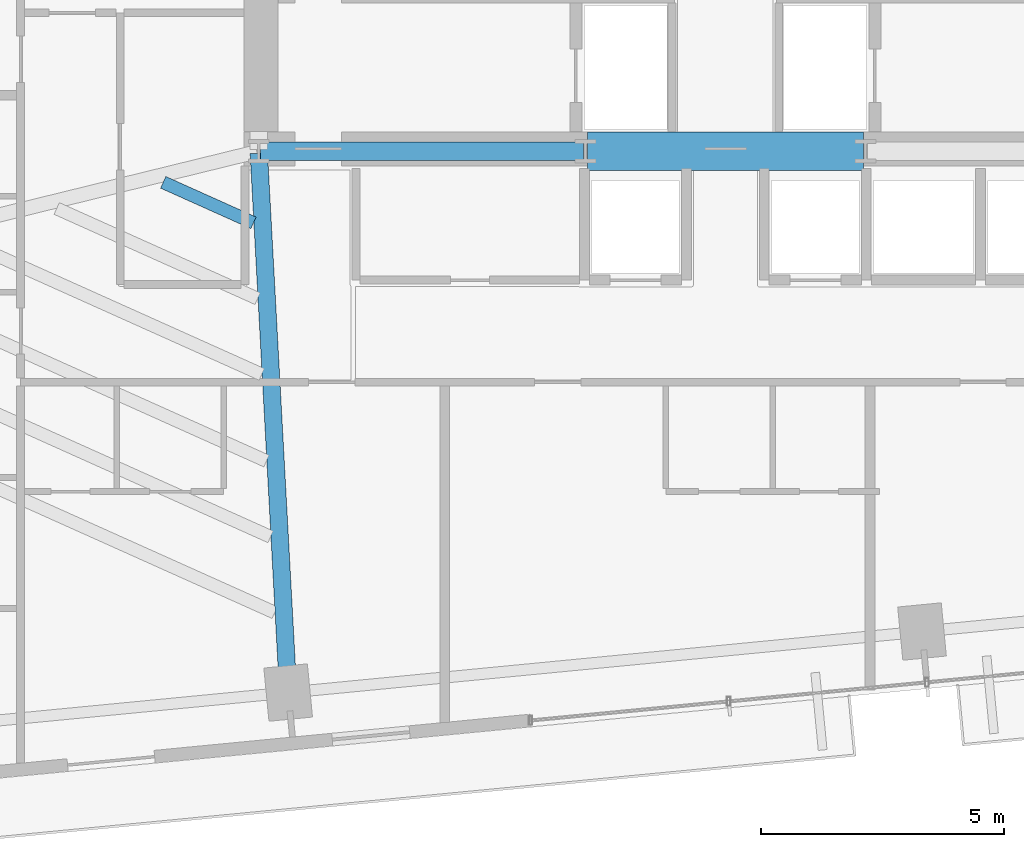
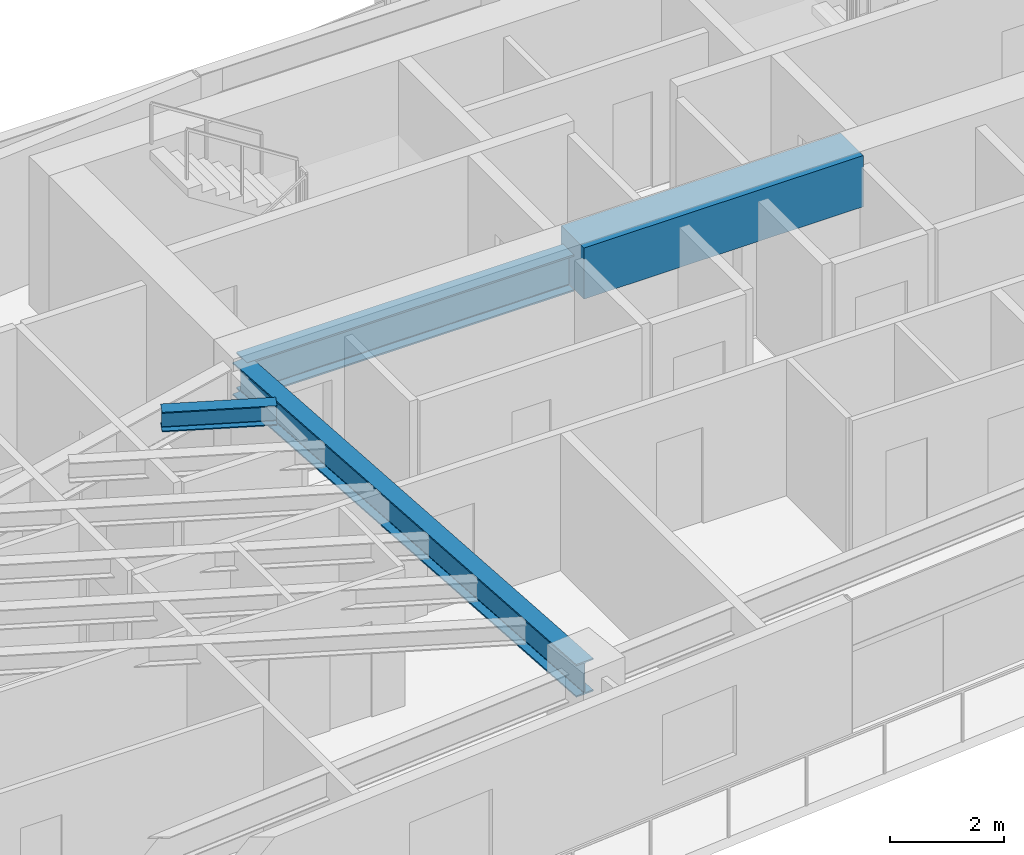
# One storey, part 7 of 27: 4 beams.
"""IFC4 building model written with IfcOpenShell, lengths in metres."""

from ifc_helpers import new_model, si_unit, direction, frame, origin, origin_2d, place, context, subcontext, project, spatial, rectangle, i_section, extrude, source, transform, mapped, material, material_profile, profile_set, type_object, type_shapes, element, save


model = new_model("IFC4")

# Units and contexts
model_context = context("Model", 3, precision=1e-05, world=origin(), true_north=direction((0.0, 1.0)))
body_context = subcontext(model_context, "Body", "Model", "MODEL_VIEW")
ifc_project = project(units=[si_unit("LENGTHUNIT", "METRE"), si_unit("AREAUNIT", "SQUARE_METRE"), si_unit("VOLUMEUNIT", "CUBIC_METRE"), si_unit("PLANEANGLEUNIT", "RADIAN"), si_unit("MASSUNIT", "GRAM", prefix="KILO")], contexts=[model_context])

# Site, building, storey
site_placement = place(None, origin())
site = spatial("IfcSite", under=ifc_project, at=site_placement, CompositionType="ELEMENT")
building_placement = place(site_placement, origin())
building = spatial("IfcBuilding", under=site, at=building_placement, Name="Astriad Promenade Condominiums", CompositionType="ELEMENT")
storey_placement = place(building_placement, frame((0.0, 0.0, 113.0)))
storey = spatial("IfcBuildingStorey", under=building, at=storey_placement, Name="L32", CompositionType="ELEMENT", Elevation=113.0)

# Beams
ifc_material_1 = material(Name="Steel ASTM A992 Grade 50", Category="steel")
ifc_material_profile_1 = material_profile(ifc_material_1, i_section(OverallWidth=0.3837890625, OverallDepth=0.785888671875, WebThickness=0.019775390625, FlangeThickness=0.033447265625, FilletRadius=0.021484375, at=origin_2d()), Name="W30X211")
ifc_profile_set_1 = profile_set([ifc_material_profile_1], Name="Steel ASTM A992 Grade 50")
beam_type_1 = type_object("IfcBeamType", Name="STEEL FLOOR GIRDER W30X211", PredefinedType="BEAM", material=ifc_profile_set_1)
shared_shape_1 = source(origin(), body_context, "Body", "SweptSolid", [
    extrude(i_section(OverallWidth=0.3837890625, OverallDepth=0.785888671875, WebThickness=0.019775390625, FlangeThickness=0.033447265625, FilletRadius=0.021484375, at=origin_2d()), origin(), (0.0, 0.0, 1.0), 6.64013671875),
])
type_shapes(beam_type_1, [shared_shape_1])
beam_1_placement = place(storey_placement, frame((26.43994140625, 17.39990234375, 2.547119140625), z_axis=(1.0, 0.0, 0.0), x_axis=(0.0, 1.0, 0.0)))
element("IfcBeam", 1, at=beam_1_placement, inside=storey, type_object=beam_type_1, Name="Core Ring Beam CG-S1-L32", PredefinedType="BEAM", context=body_context, shape_type="MappedRepresentation", body=[
    mapped(shared_shape_1, transform((0.0, 0.0, 0.0), scale=1.0)),
])
ifc_material_2 = material(Name="Concrete C80/95", Category="concrete")
ifc_material_profile_2 = material_profile(ifc_material_2, rectangle(XDim=0.800048828125, YDim=1.10009765625, at=origin_2d()), Name="RC-BM-800X1100")
ifc_profile_set_2 = profile_set([ifc_material_profile_2], Name="Concrete C80/95")
beam_type_2 = type_object("IfcBeamType", Name="CONCRETE CORE COUPLING LINTEL 800X1100", PredefinedType="LINTEL", material=ifc_profile_set_2)
shared_shape_2 = source(origin(), body_context, "Body", "SweptSolid", [
    extrude(rectangle(XDim=0.800048828125, YDim=1.10009765625, at=origin_2d()), origin(), (0.0, 0.0, 1.0), 5.68017578125),
])
type_shapes(beam_type_2, [shared_shape_2])
beam_2_placement = place(storey_placement, frame((33.159912109375, 17.39990234375, 2.6298828125), z_axis=(1.0, 0.0, 0.0), x_axis=(0.0, 1.0, 0.0)))
element("IfcBeam", 2, at=beam_2_placement, inside=storey, type_object=beam_type_2, Name="Core Ring Beam CG-S2-L32", PredefinedType="LINTEL", context=body_context, shape_type="MappedRepresentation", body=[
    mapped(shared_shape_2, transform((0.0, 0.0, 0.0), scale=1.0)),
])
ifc_material_profile_3 = material_profile(ifc_material_1, i_section(OverallWidth=0.35791015625, OverallDepth=0.706298828125, WebThickness=0.018310546875, FlangeThickness=0.0302734375, FilletRadius=0.020263671875, at=origin_2d()), Name="W27X178")
ifc_profile_set_3 = profile_set([ifc_material_profile_3], Name="Steel ASTM A992 Grade 50")
beam_type_3 = type_object("IfcBeamType", Name="STEEL FLOOR GIRDER W27X178", PredefinedType="BEAM", material=ifc_profile_set_3)
shared_shape_3 = source(origin(), body_context, "Body", "SweptSolid", [
    extrude(i_section(OverallWidth=0.35791015625, OverallDepth=0.706298828125, WebThickness=0.018310546875, FlangeThickness=0.0302734375, FilletRadius=0.020263671875, at=origin_2d()), origin(), (0.0, 0.0, 1.0), 11.071533203125),
])
type_shapes(beam_type_3, [shared_shape_3])
beam_3_placement = place(storey_placement, frame((27.00341796875, 6.304931640625, 2.5869140625), z_axis=(-0.05431219074, 0.998524003686, 0.0), x_axis=(-0.998524003686, -0.05431219074, 0.0)))
element("IfcBeam", 3, at=beam_3_placement, inside=storey, type_object=beam_type_3, Name="Primary Floor Girder PG-W2-L32", PredefinedType="BEAM", context=body_context, shape_type="MappedRepresentation", body=[
    mapped(shared_shape_3, transform((0.0, 0.0, 0.0), scale=1.0)),
])
ifc_material_profile_4 = material_profile(ifc_material_1, i_section(OverallWidth=0.26318359375, OverallDepth=0.425537109375, WebThickness=0.01318359375, FlangeThickness=0.022216796875, FilletRadius=0.013916015625, at=origin_2d()), Name="W16X89")
ifc_profile_set_4 = profile_set([ifc_material_profile_4], Name="Steel ASTM A992 Grade 50")
beam_type_4 = type_object("IfcBeamType", Name="STEEL FLOOR JOIST W16X89", PredefinedType="JOIST", material=ifc_profile_set_4)
shared_shape_4 = source(origin(), body_context, "Body", "SweptSolid", [
    extrude(i_section(OverallWidth=0.26318359375, OverallDepth=0.425537109375, WebThickness=0.01318359375, FlangeThickness=0.022216796875, FilletRadius=0.013916015625, at=origin_2d()), origin(), (0.0, 0.0, 1.0), 2.03564453125),
])
type_shapes(beam_type_4, [shared_shape_4])
beam_4_placement = place(storey_placement, frame((24.434814453125, 16.76123046875, 2.727294921875), z_axis=(0.912286908711, -0.409551701492, 0.0), x_axis=(0.409551701492, 0.912286908711, 0.0)))
element("IfcBeam", 4, at=beam_4_placement, inside=storey, type_object=beam_type_4, Name="Secondary Composite Floor Joist JW1-6-L32", PredefinedType="JOIST", context=body_context, shape_type="MappedRepresentation", body=[
    mapped(shared_shape_4, transform((0.0, 0.0, 0.0), scale=1.0)),
])

save(model, "model.ifc")
